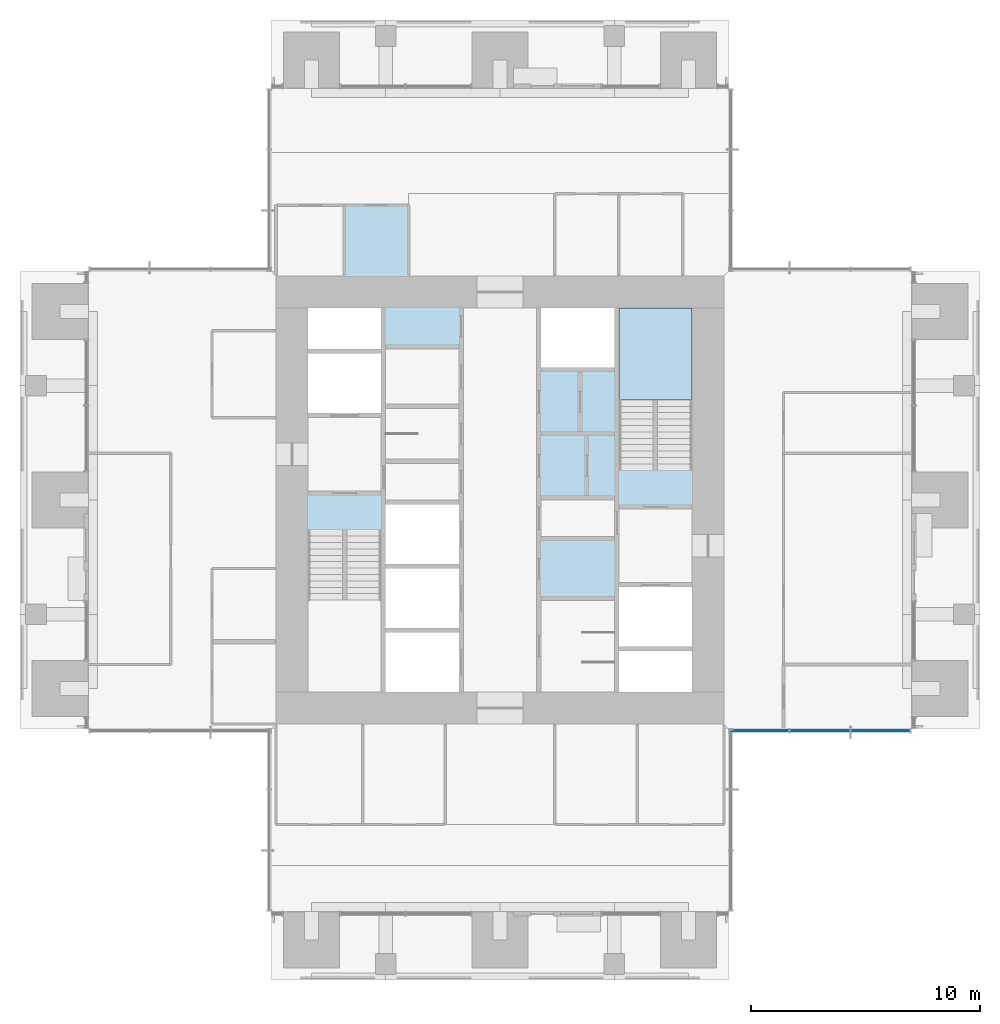
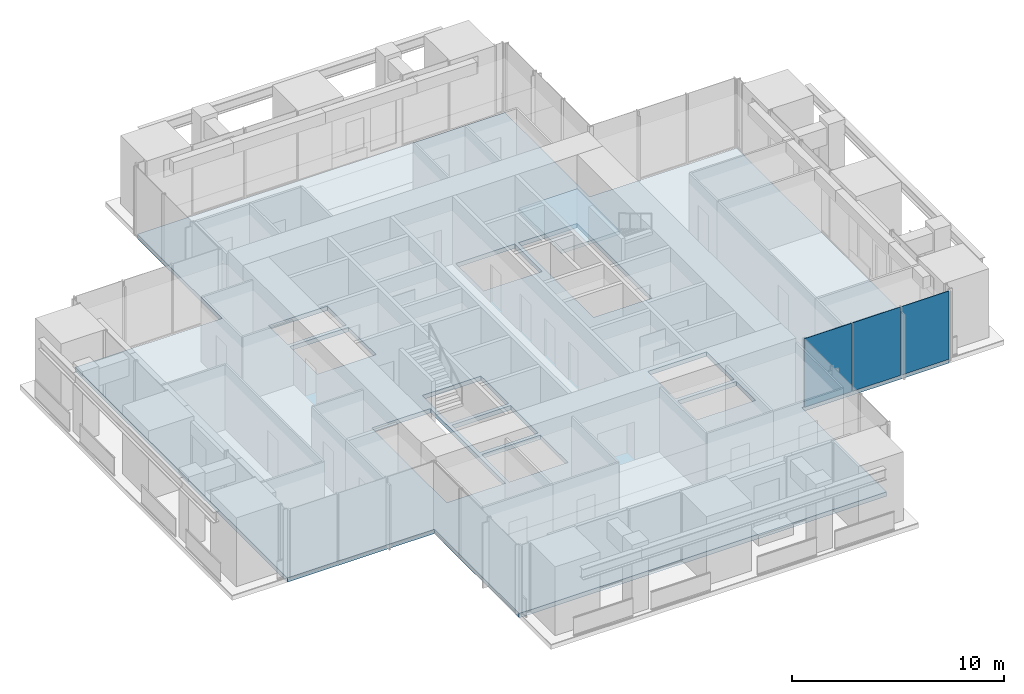
# One storey, part 9 of 17: 3 plates, 2 slabs, 2 elements without a shape of their own.
"""IFC4 building model written with IfcOpenShell, lengths in metres."""

from ifc_helpers import new_model, si_unit, direction, frame, origin, origin_2d, place, context, subcontext, project, spatial, polyline, rectangle, outline, extrude, material, layer, layer_set, type_object, element, aggregate, save


model = new_model("IFC4")

# Units and contexts
model_context = context("Model", 3, precision=1e-05, world=origin(), true_north=direction((0.0, 1.0)))
body_context = subcontext(model_context, "Body", "Model", "MODEL_VIEW")
ifc_project = project(units=[si_unit("LENGTHUNIT", "METRE"), si_unit("AREAUNIT", "SQUARE_METRE"), si_unit("VOLUMEUNIT", "CUBIC_METRE"), si_unit("PLANEANGLEUNIT", "RADIAN"), si_unit("MASSUNIT", "GRAM", prefix="KILO")], contexts=[model_context])

# Site, building, storey
site_placement = place(None, origin())
site = spatial("IfcSite", under=ifc_project, at=site_placement, CompositionType="ELEMENT")
building_placement = place(site_placement, origin())
building = spatial("IfcBuilding", under=site, at=building_placement, Name="Svetlomir Tower", CompositionType="ELEMENT")
storey_placement = place(building_placement, frame((0.0, 0.0, 202.5)))
storey = spatial("IfcBuildingStorey", under=building, at=storey_placement, Name="L48", CompositionType="ELEMENT", Elevation=202.5)

# Curtain wall, plates
ifc_material_1 = material(Name="Bronze anodised aluminium curtain wall", Category="aluminium")
curtain_wall_type = type_object("IfcCurtainWallType", Name="CURTAIN WALL CW1 TOWER OFFICE", PredefinedType="NOTDEFINED", material=ifc_material_1)
curtain_wall_placement = place(storey_placement, origin())
curtain_wall = element("IfcCurtainWall", 1, at=curtain_wall_placement, inside=storey, type_object=curtain_wall_type, Name="Curtain wall CW1 L48", PredefinedType="NOTDEFINED")
ifc_material_2 = material(Name="Tinted double glazed unit", Category="glass")
ifc_layer_1 = layer(ifc_material_2, 0.031982421875)
ifc_layer_set_1 = layer_set([ifc_layer_1], Name="Tinted double glazed unit")
plate_type = type_object("IfcPlateType", Name="CW1 GLAZED PANEL 32", PredefinedType="CURTAIN_PANEL", material=ifc_layer_set_1)
plate_1_placement = place(storey_placement, frame((32.349609375, 10.89990234375, 0.06494140625), z_axis=(0.0, 0.0, 1.0), x_axis=(1.0, 0.0, 0.0)))
plate_1 = element("IfcPlate", 2, at=plate_1_placement, type_object=plate_type, Name="CW1 panel 1.1", PredefinedType="CURTAIN_PANEL", context=body_context, shape_type="SweptSolid", body=[
    extrude(rectangle(XDim=2.569091796875, YDim=0.031982421875, at=origin_2d()), origin(), (0.0, 0.0, 1.0), 3.93505859375),
])
plate_2_placement = place(storey_placement, frame((35.0, 10.89990234375, 0.06494140625), z_axis=(0.0, 0.0, 1.0), x_axis=(1.0, 0.0, 0.0)))
plate_2 = element("IfcPlate", 3, at=plate_2_placement, type_object=plate_type, Name="CW1 panel 2.1", PredefinedType="CURTAIN_PANEL", context=body_context, shape_type="SweptSolid", body=[
    extrude(rectangle(XDim=2.6015625, YDim=0.031982421875, at=origin_2d()), origin(), (0.0, 0.0, 1.0), 3.93505859375),
])
plate_3_placement = place(storey_placement, frame((37.650390625, 10.89990234375, 0.06494140625), z_axis=(0.0, 0.0, 1.0), x_axis=(1.0, 0.0, 0.0)))
plate_3 = element("IfcPlate", 4, at=plate_3_placement, type_object=plate_type, Name="CW1 panel 3.1", PredefinedType="CURTAIN_PANEL", context=body_context, shape_type="SweptSolid", body=[
    extrude(rectangle(XDim=2.569091796875, YDim=0.031982421875, at=origin_2d()), origin(), (0.0, 0.0, 1.0), 3.93505859375),
])
aggregate(curtain_wall, [plate_1, plate_2, plate_3])

# Slab
ifc_material_3 = material(Name="Concrete C60/75", Category="concrete")
ifc_layer_2 = layer(ifc_material_3, 0.25)
ifc_layer_set_2 = layer_set([ifc_layer_2], Name="Concrete C60/75")
slab_type_1 = type_object("IfcSlabType", Name="FLOOR SLAB 250", PredefinedType="FLOOR", material=ifc_layer_set_2)
slab_1_placement = place(storey_placement, frame((0.0, 0.0, -0.25)))
element("IfcSlab", 5, at=slab_1_placement, inside=storey, type_object=slab_type_1, Name="L48 floor slab", PredefinedType="FLOOR", context=body_context, shape_type="SweptSolid", body=[
    extrude(outline(polyline([(11.0, 3.0), (31.0, 3.0), (31.0, 11.0), (39.0, 11.0), (39.0, 31.0), (31.0, 31.0), (31.0, 39.0), (11.0, 39.0), (11.0, 31.0), (3.0, 31.0), (3.0, 11.0), (11.0, 11.0), (11.0, 3.0)]), holes=[polyline([(12.60009765625, 24.800048828125), (15.800048828125, 24.800048828125), (15.800048828125, 27.39990234375), (12.60009765625, 27.39990234375), (12.60009765625, 24.800048828125)]), polyline([(26.199951171875, 14.60009765625), (29.39990234375, 14.60009765625), (29.39990234375, 17.199951171875), (26.199951171875, 17.199951171875), (26.199951171875, 14.60009765625)]), polyline([(16.0, 12.60009765625), (19.199951171875, 12.60009765625), (19.199951171875, 15.199951171875), (16.0, 15.199951171875), (16.0, 12.60009765625)]), polyline([(16.0, 15.39990234375), (19.199951171875, 15.39990234375), (19.199951171875, 18.0), (16.0, 18.0), (16.0, 15.39990234375)]), polyline([(16.0, 18.199951171875), (19.199951171875, 18.199951171875), (19.199951171875, 20.800048828125), (16.0, 20.800048828125), (16.0, 18.199951171875)]), polyline([(22.800048828125, 26.800048828125), (26.0, 26.800048828125), (26.0, 29.39990234375), (22.800048828125, 29.39990234375), (22.800048828125, 26.800048828125)]), polyline([(12.60009765625, 27.60009765625), (15.800048828125, 27.60009765625), (15.800048828125, 29.39990234375), (12.60009765625, 29.39990234375), (12.60009765625, 27.60009765625)]), polyline([(26.199951171875, 12.60009765625), (29.39990234375, 12.60009765625), (29.39990234375, 14.39990234375), (26.199951171875, 14.39990234375), (26.199951171875, 12.60009765625)]), polyline([(12.60009765625, 12.60009765625), (15.800048828125, 12.60009765625), (15.800048828125, 19.679931640625), (12.60009765625, 19.679931640625), (12.60009765625, 12.60009765625)]), polyline([(26.199951171875, 22.320068359375), (29.39990234375, 22.320068359375), (29.39990234375, 29.39990234375), (26.199951171875, 29.39990234375), (26.199951171875, 22.320068359375)])]), origin(), (0.0, 0.0, 1.0), 0.25),
])

# Stair, slab
ifc_material_4 = material(Name="Concrete C60/75", Category="concrete")
stair_type = type_object("IfcStairType", Name="EXIT STAIR 3200 RISE 4000", PredefinedType="HALF_TURN_STAIR", material=ifc_material_4)
stair_placement = place(storey_placement, origin())
stair = element("IfcStair", 6, at=stair_placement, inside=storey, type_object=stair_type, Name="Stair S2 L48 to L49", PredefinedType="HALF_TURN_STAIR")
ifc_material_5 = material(Name="Concrete C60/75", Category="concrete")
ifc_layer_3 = layer(ifc_material_5, 0.199951171875)
ifc_layer_set_3 = layer_set([ifc_layer_3], Name="Concrete C60/75")
slab_type_2 = type_object("IfcSlabType", Name="STAIR LANDING 200", PredefinedType="LANDING", material=ifc_layer_set_3)
slab_2_placement = place(storey_placement, frame((0.0, 0.0, 1.800048828125)))
slab_2 = element("IfcSlab", 7, at=slab_2_placement, type_object=slab_type_2, Name="S2 landing 1", PredefinedType="LANDING", context=body_context, shape_type="SweptSolid", body=[
    extrude(outline(polyline([(26.199951171875, 25.3798828125), (29.39990234375, 25.3798828125), (29.39990234375, 29.39990234375), (26.199951171875, 29.39990234375), (26.199951171875, 25.3798828125)])), origin(), (0.0, 0.0, 1.0), 0.199951171875),
])
aggregate(stair, [slab_2])

save(model, "model.ifc")
